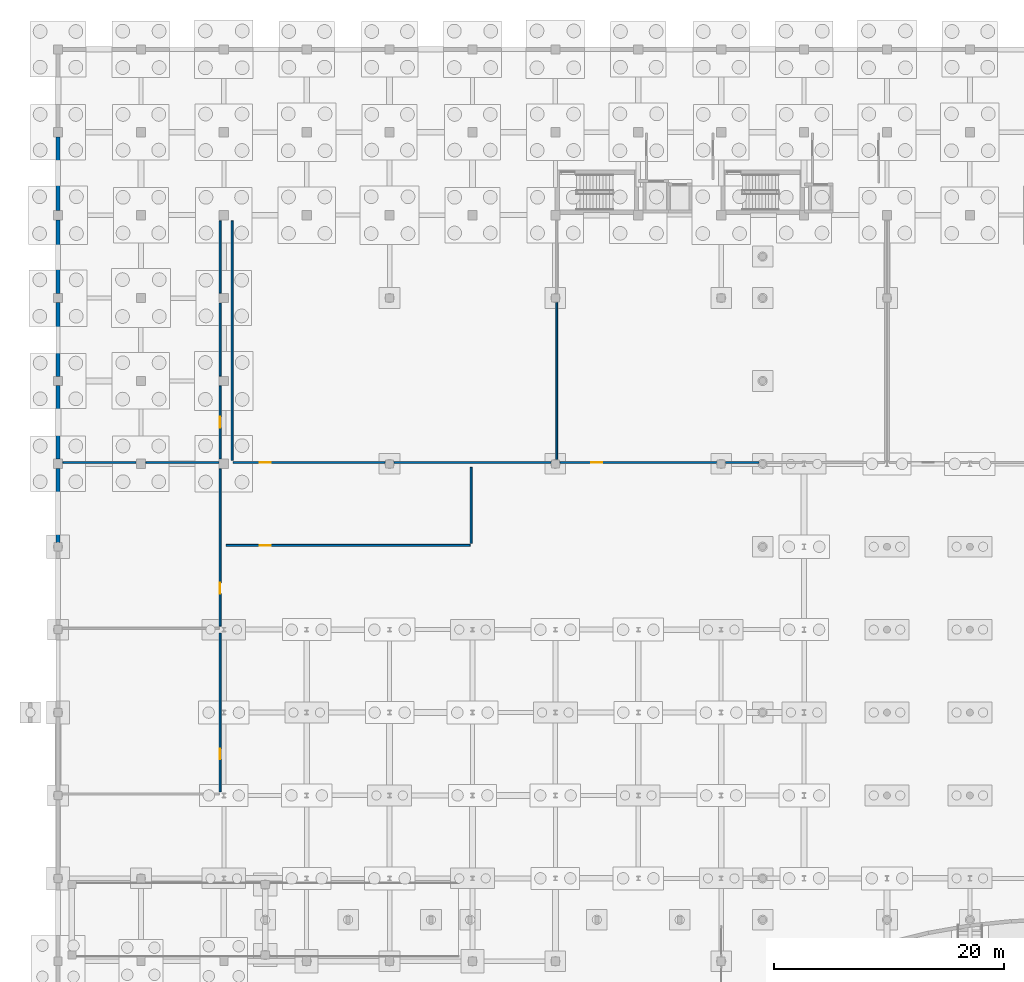
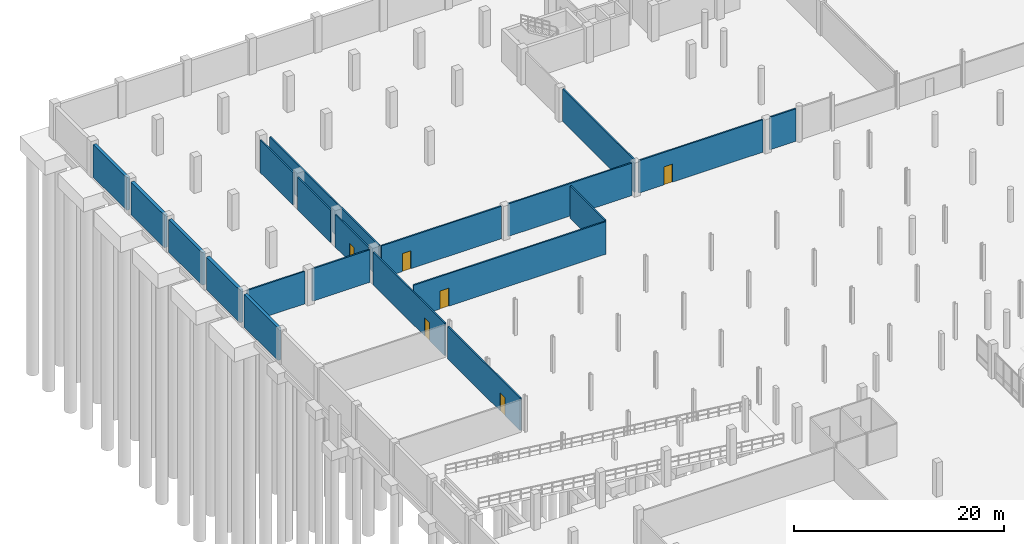
# One storey, part 42 of 56: 20 walls, 6 doors, 6 openings.
"""IFC4 building model written with IfcOpenShell, lengths in metres."""

from ifc_helpers import new_model, si_unit, direction, frame, frame_2d, origin, place, context, subcontext, project, spatial, rectangle, extrude, material, layer, layer_set, type_object, element, fill, save


model = new_model("IFC4")

# Units and contexts
model_context = context("Model", 3, precision=1e-05, world=origin(), true_north=direction((0.0, 1.0)))
body_context = subcontext(model_context, "Body", "Model", "MODEL_VIEW")
ifc_project = project(units=[si_unit("LENGTHUNIT", "METRE"), si_unit("AREAUNIT", "SQUARE_METRE"), si_unit("VOLUMEUNIT", "CUBIC_METRE"), si_unit("PLANEANGLEUNIT", "RADIAN"), si_unit("MASSUNIT", "GRAM", prefix="KILO")], contexts=[model_context])

# Site, building, storey
site_placement = place(None, origin())
site = spatial("IfcSite", under=ifc_project, at=site_placement, CompositionType="ELEMENT")
building_placement = place(site_placement, origin())
building = spatial("IfcBuilding", under=site, at=building_placement, Name="Suanplinth Sawtooth Commons", CompositionType="ELEMENT")
storey_placement = place(building_placement, frame((0.0, 0.0, -4.199951171875)))
storey = spatial("IfcBuildingStorey", under=building, at=storey_placement, Name="B1", CompositionType="ELEMENT", Elevation=-4.199951171875)

# Wall, opening, door
ifc_material_1 = material(Name="Precast concrete C40/50", Category="concrete")
ifc_layer_1 = layer(ifc_material_1, 0.159912109375, Name="Fire-rated corridor and lobby wall 160mm")
ifc_layer_set_1 = layer_set([ifc_layer_1], Name="Precast concrete C40/50")
wall_type_1 = type_object("IfcWallType", Name="W-FW01", PredefinedType="PARTITIONING", material=ifc_layer_set_1)
wall_1_placement = place(storey_placement, frame((43.580078125, 86.52001953125, 0.0), z_axis=(0.0, 0.0, 1.0), x_axis=(1.0, 0.0, 0.0)))
wall_1 = element("IfcWall", 1, at=wall_1_placement, inside=storey, type_object=wall_type_1, Name="W-B1-BULK-S-S1", PredefinedType="PARTITIONING", context=body_context, shape_type="SweptSolid", body=[
    extrude(rectangle(XDim=13.639892578125, YDim=0.159912109375, at=frame_2d((6.81982421875, 0.0))), origin(), (0.0, 0.0, 1.0), 3.7900390625),
])
opening_1_placement = place(wall_1_placement, frame((2.7451171875, 0.0, 0.0)))
opening_1 = element("IfcOpeningElement", 2, at=opening_1_placement, cuts=wall_1, Name="Opening FD0429", PredefinedType="OPENING", context=body_context, shape_type="SweptSolid", body=[
    extrude(rectangle(XDim=0.949951171875, YDim=2.10009765625, at=frame_2d((0.47509765625, 1.050048828125))), frame((0.0, 0.0947265625, 0.0), z_axis=(0.0, -1.0, 0.0), x_axis=(1.0, 0.0, 0.0)), (0.0, 0.0, 1.0), 0.189697265625),
])
ifc_material_2 = material(Name="Teak hardwood fire-rated door assembly", Category="wood")
door_type = type_object("IfcDoorType", Name="FD-05", OperationType="NOTDEFINED", PredefinedType="DOOR", material=ifc_material_2)
door_1_placement = place(opening_1_placement, origin())
door_1 = element("IfcDoor", 3, at=door_1_placement, inside=storey, type_object=door_type, Name="Basement Door FD0429", OperationType="SINGLE_SWING_RIGHT", OverallHeight=2.10009765625, OverallWidth=0.949951171875, PredefinedType="DOOR", context=body_context, shape_type="SweptSolid", body=[
    extrude(rectangle(XDim=0.949951171875, YDim=2.10009765625, at=frame_2d((0.47509765625, 1.050048828125))), frame((0.0, 0.02490234375, 0.0), z_axis=(0.0, -1.0, 0.0), x_axis=(1.0, 0.0, 0.0)), (0.0, 0.0, 1.0), 0.050048828125),
])
fill(opening_1, door_1)

# Walls
wall_2_placement = place(storey_placement, frame((57.97998046875, 86.52001953125, 0.0), z_axis=(0.0, 0.0, 1.0), x_axis=(1.0, 0.0, 0.0)))
element("IfcWall", 4, at=wall_2_placement, inside=storey, type_object=wall_type_1, Name="W-B1-BULK-S-S2", PredefinedType="PARTITIONING", context=body_context, shape_type="SweptSolid", body=[
    extrude(rectangle(XDim=2.89013671875, YDim=0.159912109375, at=frame_2d((1.445068359375, 0.0))), origin(), (0.0, 0.0, 1.0), 3.7900390625),
])
wall_3_placement = place(storey_placement, frame((43.320068359375, 86.780029296875, 0.0), z_axis=(0.0, 0.0, 1.0), x_axis=(0.0, 1.0, 0.0)))
element("IfcWall", 5, at=wall_3_placement, inside=storey, type_object=wall_type_1, Name="W-B1-BULK-W-S1", PredefinedType="PARTITIONING", context=body_context, shape_type="SweptSolid", body=[
    extrude(rectangle(XDim=13.639892578125, YDim=0.159912109375, at=frame_2d((6.81982421875, 0.0))), origin(), (0.0, 0.0, 1.0), 3.7900390625),
])

# Wall, opening, door
wall_4_placement = place(storey_placement, frame((15.199951171875, 86.52001953125, 0.0), z_axis=(0.0, 0.0, 1.0), x_axis=(1.0, 0.0, 0.0)))
wall_4 = element("IfcWall", 6, at=wall_4_placement, inside=storey, type_object=wall_type_1, Name="W-B1-CYCN-S-S1", PredefinedType="PARTITIONING", context=body_context, shape_type="SweptSolid", body=[
    extrude(rectangle(XDim=13.219970703125, YDim=0.159912109375, at=frame_2d((6.60986328125, 0.0))), origin(), (0.0, 0.0, 1.0), 3.7900390625),
])
opening_2_placement = place(wall_4_placement, frame((2.324951171875, 0.0, 0.0)))
opening_2 = element("IfcOpeningElement", 7, at=opening_2_placement, cuts=wall_4, Name="Opening FD0430", PredefinedType="OPENING", context=body_context, shape_type="SweptSolid", body=[
    extrude(rectangle(XDim=0.949951171875, YDim=2.10009765625, at=frame_2d((0.47509765625, 1.050048828125))), frame((0.0, 0.0947265625, 0.0), z_axis=(0.0, -1.0, 0.0), x_axis=(1.0, 0.0, 0.0)), (0.0, 0.0, 1.0), 0.189697265625),
])
door_2_placement = place(opening_2_placement, origin())
door_2 = element("IfcDoor", 8, at=door_2_placement, inside=storey, type_object=door_type, Name="Basement Door FD0430", OperationType="SINGLE_SWING_LEFT", OverallHeight=2.10009765625, OverallWidth=0.949951171875, PredefinedType="DOOR", context=body_context, shape_type="SweptSolid", body=[
    extrude(rectangle(XDim=0.949951171875, YDim=2.10009765625, at=frame_2d((0.47509765625, 1.050048828125))), frame((0.0, 0.02490234375, 0.0), z_axis=(0.0, -1.0, 0.0), x_axis=(1.0, 0.0, 0.0)), (0.0, 0.0, 1.0), 0.050048828125),
])
fill(opening_2, door_2)

# Walls
wall_5_placement = place(storey_placement, frame((29.179931640625, 86.52001953125, 0.0), z_axis=(0.0, 0.0, 1.0), x_axis=(1.0, 0.0, 0.0)))
element("IfcWall", 9, at=wall_5_placement, inside=storey, type_object=wall_type_1, Name="W-B1-CYCN-S-S2", PredefinedType="PARTITIONING", context=body_context, shape_type="SweptSolid", body=[
    extrude(rectangle(XDim=13.64013671875, YDim=0.159912109375, at=frame_2d((6.820068359375, 0.0))), origin(), (0.0, 0.0, 1.0), 3.7900390625),
])
wall_6_placement = place(storey_placement, frame((15.1201171875, 86.699951171875, 0.0), z_axis=(0.0, 0.0, 1.0), x_axis=(0.0, 1.0, 0.0)))
element("IfcWall", 10, at=wall_6_placement, inside=storey, type_object=wall_type_1, Name="W-B1-CYCN-W", PredefinedType="PARTITIONING", context=body_context, shape_type="SweptSolid", body=[
    extrude(rectangle(XDim=20.800048828125, YDim=0.159912109375, at=frame_2d((10.39990234375, 0.0))), origin(), (0.0, 0.0, 1.0), 3.7900390625),
])
for number, where, z_axis, x_axis, name in (
    (11, (0.429931640625, 86.52001953125, 0.0), (0.0, 0.0, 1.0), (1.0, 0.0, 0.0), "W-B1-SUBS-S-S1"),
    (12, (7.6298828125, 86.52001953125, 0.0), (0.0, 0.0, 1.0), (1.0, 0.0, 0.0), "W-B1-SUBS-S-S2"),
):
    element("IfcWall", number, at=place(storey_placement, frame(where, z_axis=z_axis, x_axis=x_axis)), inside=storey, type_object=wall_type_1, Name=name, PredefinedType="PARTITIONING", context=body_context, shape_type="SweptSolid", body=[
        extrude(rectangle(XDim=6.340087890625, YDim=0.159912109375, at=frame_2d((3.169921875, 0.0))), origin(), (0.0, 0.0, 1.0), 3.7900390625),
    ])

# Wall, opening, door
wall_7_placement = place(storey_placement, frame((14.080078125, 86.830078125, 0.0), z_axis=(0.0, 0.0, 1.0), x_axis=(0.0, 1.0, 0.0)))
wall_7 = element("IfcWall", 13, at=wall_7_placement, inside=storey, type_object=wall_type_1, Name="W-B1-SUBS-E-S1", PredefinedType="PARTITIONING", context=body_context, shape_type="SweptSolid", body=[
    extrude(rectangle(XDim=6.33984375, YDim=0.159912109375, at=frame_2d((3.169921875, 0.0))), origin(), (0.0, 0.0, 1.0), 3.7900390625),
])
opening_3_placement = place(wall_7_placement, frame((2.695068359375, 0.0, 0.0)))
opening_3 = element("IfcOpeningElement", 14, at=opening_3_placement, cuts=wall_7, Name="Opening FD0432", PredefinedType="OPENING", context=body_context, shape_type="SweptSolid", body=[
    extrude(rectangle(XDim=0.949951171875, YDim=2.10009765625, at=frame_2d((0.47509765625, 1.050048828125))), frame((0.0, 0.0947265625, 0.0), z_axis=(0.0, -1.0, 0.0), x_axis=(1.0, 0.0, 0.0)), (0.0, 0.0, 1.0), 0.189697265625),
])
door_3_placement = place(opening_3_placement, frame((0.949951171875, 0.0, 0.0), z_axis=(0.0, 0.0, 1.0), x_axis=(-1.0, 0.0, 0.0)))
door_3 = element("IfcDoor", 15, at=door_3_placement, inside=storey, type_object=door_type, Name="Basement Door FD0432", OperationType="SINGLE_SWING_LEFT", OverallHeight=2.10009765625, OverallWidth=0.949951171875, PredefinedType="DOOR", context=body_context, shape_type="SweptSolid", body=[
    extrude(rectangle(XDim=0.949951171875, YDim=2.10009765625, at=frame_2d((0.47509765625, 1.050048828125))), frame((0.0, 0.02490234375, 0.0), z_axis=(0.0, -1.0, 0.0), x_axis=(1.0, 0.0, 0.0)), (0.0, 0.0, 1.0), 0.050048828125),
])
fill(opening_3, door_3)

# Walls
wall_8_placement = place(storey_placement, frame((14.080078125, 94.030029296875, 0.0), z_axis=(0.0, 0.0, 1.0), x_axis=(0.0, 1.0, 0.0)))
element("IfcWall", 16, at=wall_8_placement, inside=storey, type_object=wall_type_1, Name="W-B1-SUBS-E-S2", PredefinedType="PARTITIONING", context=body_context, shape_type="SweptSolid", body=[
    extrude(rectangle(XDim=6.340087890625, YDim=0.159912109375, at=frame_2d((3.169921875, 0.0))), origin(), (0.0, 0.0, 1.0), 3.7900390625),
])
wall_9_placement = place(storey_placement, frame((14.080078125, 101.22998046875, 0.0), z_axis=(0.0, 0.0, 1.0), x_axis=(0.0, 1.0, 0.0)))
element("IfcWall", 17, at=wall_9_placement, inside=storey, type_object=wall_type_1, Name="W-B1-SUBS-E-S3", PredefinedType="PARTITIONING", context=body_context, shape_type="SweptSolid", body=[
    extrude(rectangle(XDim=6.27001953125, YDim=0.159912109375, at=frame_2d((3.135009765625, 0.0))), origin(), (0.0, 0.0, 1.0), 3.7900390625),
])

# Wall, opening, door
wall_10_placement = place(storey_placement, frame((14.080078125, 72.300048828125, 0.0), z_axis=(0.0, 0.0, 1.0), x_axis=(0.0, 1.0, 0.0)))
wall_10 = element("IfcWall", 18, at=wall_10_placement, inside=storey, type_object=wall_type_1, Name="W-B1-REFU-E", PredefinedType="PARTITIONING", context=body_context, shape_type="SweptSolid", body=[
    extrude(rectangle(XDim=13.669921875, YDim=0.159912109375, at=frame_2d((6.8349609375, 0.0))), origin(), (0.0, 0.0, 1.0), 3.7900390625),
])
opening_4_placement = place(wall_10_placement, frame((2.824951171875, 0.0, 0.0)))
opening_4 = element("IfcOpeningElement", 19, at=opening_4_placement, cuts=wall_10, Name="Opening FD0433", PredefinedType="OPENING", context=body_context, shape_type="SweptSolid", body=[
    extrude(rectangle(XDim=0.949951171875, YDim=2.10009765625, at=frame_2d((0.47509765625, 1.050048828125))), frame((0.0, 0.0947265625, 0.0), z_axis=(0.0, -1.0, 0.0), x_axis=(1.0, 0.0, 0.0)), (0.0, 0.0, 1.0), 0.189697265625),
])
door_4_placement = place(opening_4_placement, frame((0.949951171875, 0.0, 0.0), z_axis=(0.0, 0.0, 1.0), x_axis=(-1.0, 0.0, 0.0)))
door_4 = element("IfcDoor", 20, at=door_4_placement, inside=storey, type_object=door_type, Name="Basement Door FD0433", OperationType="SINGLE_SWING_RIGHT", OverallHeight=2.10009765625, OverallWidth=0.949951171875, PredefinedType="DOOR", context=body_context, shape_type="SweptSolid", body=[
    extrude(rectangle(XDim=0.949951171875, YDim=2.10009765625, at=frame_2d((0.47509765625, 1.050048828125))), frame((0.0, 0.02490234375, 0.0), z_axis=(0.0, -1.0, 0.0), x_axis=(1.0, 0.0, 0.0)), (0.0, 0.0, 1.0), 0.050048828125),
])
fill(opening_4, door_4)

wall_11_placement = place(storey_placement, frame((14.080078125, 57.89990234375, 0.0), z_axis=(0.0, 0.0, 1.0), x_axis=(0.0, 1.0, 0.0)))
wall_11 = element("IfcWall", 21, at=wall_11_placement, inside=storey, type_object=wall_type_1, Name="W-B1-GEN-E", PredefinedType="PARTITIONING", context=body_context, shape_type="SweptSolid", body=[
    extrude(rectangle(XDim=13.800048828125, YDim=0.159912109375, at=frame_2d((6.89990234375, 0.0))), origin(), (0.0, 0.0, 1.0), 3.7900390625),
])
opening_5_placement = place(wall_11_placement, frame((2.824951171875, 0.0, 0.0)))
opening_5 = element("IfcOpeningElement", 22, at=opening_5_placement, cuts=wall_11, Name="Opening FD0434", PredefinedType="OPENING", context=body_context, shape_type="SweptSolid", body=[
    extrude(rectangle(XDim=0.949951171875, YDim=2.10009765625, at=frame_2d((0.47509765625, 1.050048828125))), frame((0.0, 0.0947265625, 0.0), z_axis=(0.0, -1.0, 0.0), x_axis=(1.0, 0.0, 0.0)), (0.0, 0.0, 1.0), 0.189697265625),
])
door_5_placement = place(opening_5_placement, frame((0.949951171875, 0.0, 0.0), z_axis=(0.0, 0.0, 1.0), x_axis=(-1.0, 0.0, 0.0)))
door_5 = element("IfcDoor", 23, at=door_5_placement, inside=storey, type_object=door_type, Name="Basement Door FD0434", OperationType="SINGLE_SWING_LEFT", OverallHeight=2.10009765625, OverallWidth=0.949951171875, PredefinedType="DOOR", context=body_context, shape_type="SweptSolid", body=[
    extrude(rectangle(XDim=0.949951171875, YDim=2.10009765625, at=frame_2d((0.47509765625, 1.050048828125))), frame((0.0, 0.02490234375, 0.0), z_axis=(0.0, -1.0, 0.0), x_axis=(1.0, 0.0, 0.0)), (0.0, 0.0, 1.0), 0.050048828125),
])
fill(opening_5, door_5)

wall_12_placement = place(storey_placement, frame((14.60009765625, 79.320068359375, 0.0), z_axis=(0.0, 0.0, 1.0), x_axis=(1.0, 0.0, 0.0)))
wall_12 = element("IfcWall", 24, at=wall_12_placement, inside=storey, type_object=wall_type_1, Name="W-B1-RETN-S", PredefinedType="PARTITIONING", context=body_context, shape_type="SweptSolid", body=[
    extrude(rectangle(XDim=21.199951171875, YDim=0.159912109375, at=frame_2d((10.60009765625, 0.0))), origin(), (0.0, 0.0, 1.0), 3.7900390625),
])
opening_6_placement = place(wall_12_placement, frame((2.925048828125, 0.0, 0.0)))
opening_6 = element("IfcOpeningElement", 25, at=opening_6_placement, cuts=wall_12, Name="Opening FD0435", PredefinedType="OPENING", context=body_context, shape_type="SweptSolid", body=[
    extrude(rectangle(XDim=0.949951171875, YDim=2.10009765625, at=frame_2d((0.47509765625, 1.050048828125))), frame((0.0, 0.0947265625, 0.0), z_axis=(0.0, -1.0, 0.0), x_axis=(1.0, 0.0, 0.0)), (0.0, 0.0, 1.0), 0.189697265625),
])
door_6_placement = place(opening_6_placement, origin())
door_6 = element("IfcDoor", 26, at=door_6_placement, inside=storey, type_object=door_type, Name="Basement Door FD0435", OperationType="SINGLE_SWING_RIGHT", OverallHeight=2.10009765625, OverallWidth=0.949951171875, PredefinedType="DOOR", context=body_context, shape_type="SweptSolid", body=[
    extrude(rectangle(XDim=0.949951171875, YDim=2.10009765625, at=frame_2d((0.47509765625, 1.050048828125))), frame((0.0, 0.02490234375, 0.0), z_axis=(0.0, -1.0, 0.0), x_axis=(1.0, 0.0, 0.0)), (0.0, 0.0, 1.0), 0.050048828125),
])
fill(opening_6, door_6)

# Walls
wall_13_placement = place(storey_placement, frame((35.8798828125, 79.5, 0.0), z_axis=(0.0, 0.0, 1.0), x_axis=(0.0, 1.0, 0.0)))
element("IfcWall", 27, at=wall_13_placement, inside=storey, type_object=wall_type_1, Name="W-B1-RETN-E", PredefinedType="PARTITIONING", context=body_context, shape_type="SweptSolid", body=[
    extrude(rectangle(XDim=6.60009765625, YDim=0.159912109375, at=frame_2d((3.300048828125, 0.0))), origin(), (0.0, 0.0, 1.0), 3.7900390625),
])
ifc_material_3 = material(Name="Concrete C35/45", Category="concrete")
ifc_layer_2 = layer(ifc_material_3, 0.35009765625, Name="Basement perimeter RC retaining wall 350mm")
ifc_layer_set_2 = layer_set([ifc_layer_2], Name="Concrete C35/45")
wall_type_2 = type_object("IfcWallType", Name="W-RT01", PredefinedType="SOLIDWALL", material=ifc_layer_set_2)
wall_14_placement = place(storey_placement, frame((0.0, 79.550048828125, 0.0), z_axis=(0.0, 0.0, 1.0), x_axis=(0.0, 1.0, 0.0)))
element("IfcWall", 28, at=wall_14_placement, inside=storey, type_object=wall_type_2, Name="Basement West Plinth Retaining Wall Bay 12", PredefinedType="SOLIDWALL", context=body_context, shape_type="SweptSolid", body=[
    extrude(rectangle(XDim=6.449951171875, YDim=0.35009765625, at=frame_2d((3.22509765625, 0.0))), origin(), (0.0, 0.0, 1.0), 3.800048828125),
])
for number, where, z_axis, x_axis, name in (
    (29, (0.0, 86.800048828125, 0.0), (0.0, 0.0, 1.0), (0.0, 1.0, 0.0), "Basement West Plinth Retaining Wall Bay 13"),
    (30, (0.0, 94.0, 0.0), (0.0, 0.0, 1.0), (0.0, 1.0, 0.0), "Basement West Plinth Retaining Wall Bay 14"),
):
    element("IfcWall", number, at=place(storey_placement, frame(where, z_axis=z_axis, x_axis=x_axis)), inside=storey, type_object=wall_type_2, Name=name, PredefinedType="SOLIDWALL", context=body_context, shape_type="SweptSolid", body=[
        extrude(rectangle(XDim=6.39990234375, YDim=0.35009765625, at=frame_2d((3.199951171875, 0.0))), origin(), (0.0, 0.0, 1.0), 3.800048828125),
    ])
for number, where, z_axis, x_axis, name in (
    (31, (0.0, 101.199951171875, 0.0), (0.0, 0.0, 1.0), (0.0, 1.0, 0.0), "Basement West Plinth Retaining Wall Bay 15"),
    (32, (0.0, 108.39990234375, 0.0), (0.0, 0.0, 1.0), (0.0, 1.0, 0.0), "Basement West Plinth Retaining Wall Bay 16"),
):
    element("IfcWall", number, at=place(storey_placement, frame(where, z_axis=z_axis, x_axis=x_axis)), inside=storey, type_object=wall_type_2, Name=name, PredefinedType="SOLIDWALL", context=body_context, shape_type="SweptSolid", body=[
        extrude(rectangle(XDim=6.400146484375, YDim=0.35009765625, at=frame_2d((3.2001953125, 0.0))), origin(), (0.0, 0.0, 1.0), 3.800048828125),
    ])

save(model, "model.ifc")
